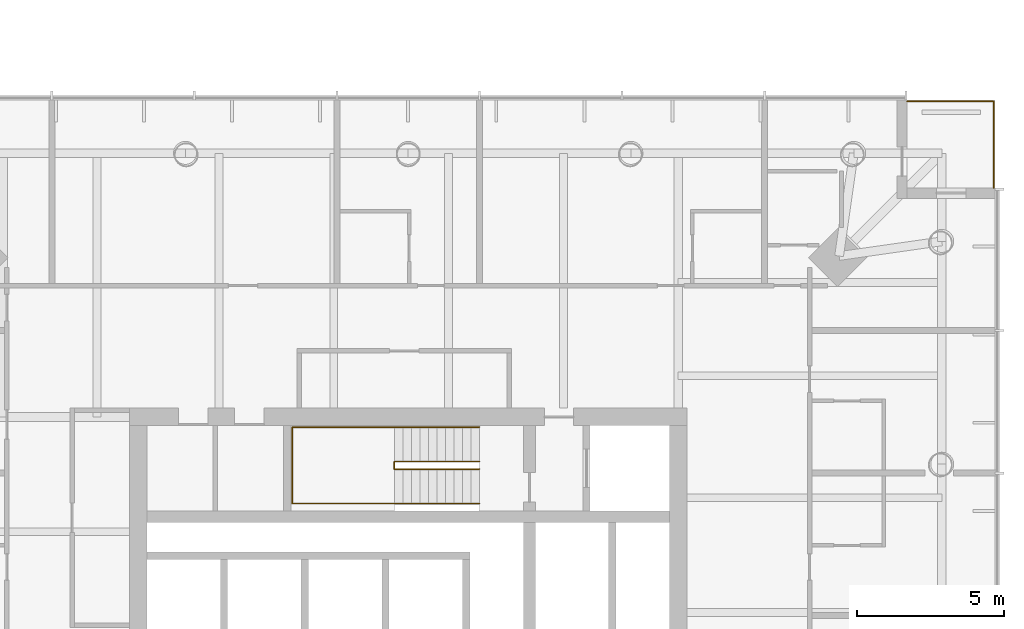
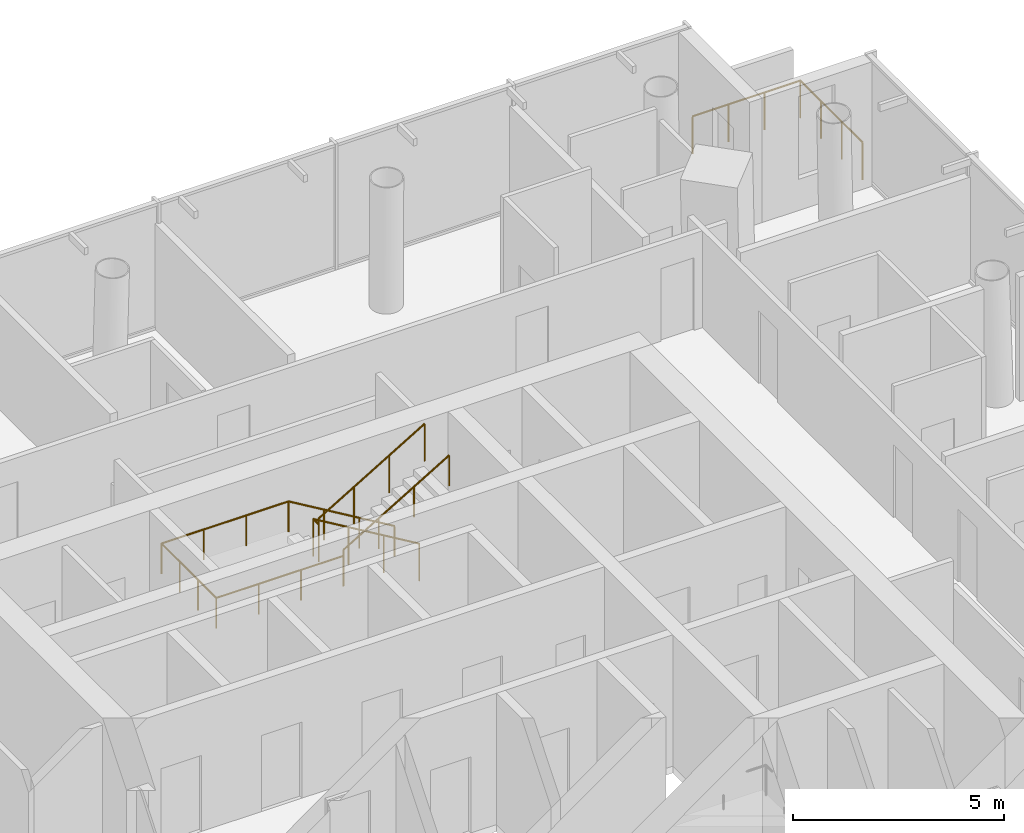
# One storey, part 22 of 22: 3 railings.
"""IFC4 building model written with IfcOpenShell, lengths in metres."""

import ifcopenshell
import ifcopenshell.guid

model = None  # the IFC model being written
_history = None  # IfcOwnerHistory: only IFC2X3 demands one
_inside = {}  # id of a spatial element -> (the spatial element, [elements in it])
_under = {}  # id of a project, library or spatial element -> (it, [spatial elements below it])
_declared = {}  # id of a project -> (the project, [libraries it declares])
_typed = {}  # id of a type object -> (the type object, [elements of that type])
_made_of = {}  # id of a material, layer set ... -> (it, [elements and type objects made of it])


def new_model(schema):
    """Start an empty IFC model of exactly this schema.

    Asked for "IFC4X3", IfcOpenShell would pick the latest addendum, in which some entities
    have other attributes; the version numbers below select the first issue.
    IFC2X3 requires an IfcOwnerHistory on every rooted entity: one is made here for all.
    """
    global model, _history
    if schema == "IFC4X3":
        model = ifcopenshell.file(schema_version=(4, 3, 0, 0))
    else:
        model = ifcopenshell.file(schema=schema)
    _inside.clear()
    _under.clear()
    _declared.clear()
    _typed.clear()
    _made_of.clear()
    _history = None
    if model.schema == "IFC2X3":
        org = make("IfcOrganization", Name="unknown")
        user = make(
            "IfcPersonAndOrganization",
            ThePerson=make("IfcPerson", FamilyName="unknown"),
            TheOrganization=org,
        )
        app = make(
            "IfcApplication",
            ApplicationDeveloper=org,
            Version="unknown",
            ApplicationFullName="unknown",
            ApplicationIdentifier="unknown",
        )
        _history = make(
            "IfcOwnerHistory",
            OwningUser=user,
            OwningApplication=app,
            ChangeAction="ADDED",
            CreationDate=0,
        )
    return model


def make(cls, **values):
    """One entity of the class cls with the attributes given. An attribute that is None is left unset."""
    return model.create_entity(
        cls, **{name: value for name, value in values.items() if value is not None}
    )


def rooted(cls, **values):
    """An entity with a GlobalId (a new one), such as an element, a storey or a relation."""
    return make(cls, GlobalId=ifcopenshell.guid.new(), OwnerHistory=_history, **values)


def si_unit(unit_type, name, prefix=None):
    """IfcSIUnit, for example si_unit("LENGTHUNIT", "METRE", prefix="MILLI")."""
    return make("IfcSIUnit", UnitType=unit_type, Prefix=prefix, Name=name)


def assignment(units):
    """IfcUnitAssignment: the units of a project."""
    return None if units is None else make("IfcUnitAssignment", Units=units)


def point(xyz):
    """IfcCartesianPoint."""
    return None if xyz is None else make("IfcCartesianPoint", Coordinates=xyz)


def direction(xyz):
    """IfcDirection."""
    return None if xyz is None else make("IfcDirection", DirectionRatios=xyz)


def frame(location, z_axis=None, x_axis=None):
    """IfcAxis2Placement3D, a coordinate frame: its origin and axes. An axis left out is left unset."""
    return make(
        "IfcAxis2Placement3D",
        Location=point(location),
        Axis=direction(z_axis),
        RefDirection=direction(x_axis),
    )


def frame_2d(location, x_axis=None):
    """IfcAxis2Placement2D, a coordinate frame in the plane: its origin and x axis."""
    return make(
        "IfcAxis2Placement2D", Location=point(location), RefDirection=direction(x_axis)
    )


def origin():
    """The frame at (0, 0, 0) with its axes left unset."""
    return frame((0.0, 0.0, 0.0))


def origin_2d():
    """The frame at (0, 0) in the plane with its x axis left unset."""
    return frame_2d((0.0, 0.0))


def place(relative_to, where):
    """IfcLocalPlacement: puts the frame where relative to a parent placement (None: the world)."""
    return make(
        "IfcLocalPlacement", PlacementRelTo=relative_to, RelativePlacement=where
    )


def context(
    kind, dimensions, precision=None, world=None, true_north=None, identifier=None
):
    """IfcGeometricRepresentationContext, for example the 3D "Model" context."""
    return make(
        "IfcGeometricRepresentationContext",
        ContextIdentifier=identifier,
        ContextType=kind,
        CoordinateSpaceDimension=dimensions,
        Precision=precision,
        WorldCoordinateSystem=world,
        TrueNorth=true_north,
    )


def subcontext(parent, identifier, kind, view, scale=None):
    """IfcGeometricRepresentationSubContext, for example "Body" below "Model"."""
    return make(
        "IfcGeometricRepresentationSubContext",
        ContextIdentifier=identifier,
        ContextType=kind,
        ParentContext=parent,
        TargetScale=scale,
        TargetView=view,
    )


def project(units=None, contexts=None):
    """IfcProject with its units and contexts."""
    return rooted(
        "IfcProject",
        Name="project",
        RepresentationContexts=contexts,
        UnitsInContext=assignment(units),
    )


def spatial(cls, under=None, at=None, **own):
    """A site, building, storey or space (cls), placed at a placement, below another one or the project."""
    s = rooted(cls, ObjectPlacement=at, **own)
    if under is not None:
        _under.setdefault(under.id(), (under, []))[1].append(s)
    return s


def profile(cls, at=None, kind="AREA", **sizes):
    """A parametric profile (cls). Its sizes go by their IFC names, for example OverallWidth=200.0."""
    return make(cls, ProfileType=kind, Position=at, **sizes)


def circle(**sizes):
    """IfcCircleProfileDef."""
    return profile("IfcCircleProfileDef", **sizes)


def extrude(swept, where, along, depth):
    """IfcExtrudedAreaSolid: the profile swept, set in the frame where, extruded along a direction by depth."""
    return make(
        "IfcExtrudedAreaSolid",
        SweptArea=swept,
        Position=where,
        ExtrudedDirection=direction(along),
        Depth=depth,
    )


def shape(context_of_items, identifier, shape_type, items):
    """IfcShapeRepresentation: the items that make up one representation, for example the "Body"."""
    return make(
        "IfcShapeRepresentation",
        ContextOfItems=context_of_items,
        RepresentationIdentifier=identifier,
        RepresentationType=shape_type,
        Items=items,
    )


def material(Name=None, Category=None):
    """IfcMaterial."""
    return make("IfcMaterial", Name=Name, Category=Category)


def made_of(thing, what):
    """Note that an element or type object is made of a material, layer set ...; save() writes the relation."""
    if what is not None:
        _made_of.setdefault(what.id(), (what, []))[1].append(thing)
    return thing


def type_object(cls, material=None, **own):
    """A type object (cls), such as IfcWallType, which elements share."""
    return made_of(rooted(cls, **own), material)


def element(
    cls,
    number,
    at=None,
    inside=None,
    cuts=None,
    type_object=None,
    material=None,
    context=None,
    identifier="Body",
    shape_type=None,
    held_by="IfcProductDefinitionShape",
    body=None,
    shapes=None,
    **own,
):
    """One element of the class cls, such as IfcWall. Its Tag is "e" and its number.

    at: its placement. inside: the storey or other place that contains it. cuts: it is an
    opening in that element (IfcRelVoidsElement). A single representation is given by context,
    identifier, shape_type and body (its items); several are given by shapes. held_by: the class
    of the entity that holds the representations. save() writes the other relations.
    """
    e = rooted(cls, Tag="e%d" % number, ObjectPlacement=at, **own)
    if body is not None:
        shapes = [shape(context, identifier, shape_type, body)]
    if shapes is not None:
        e.Representation = make(held_by, Representations=shapes)
    if inside is not None:
        _inside.setdefault(inside.id(), (inside, []))[1].append(e)
    if cuts is not None:
        rooted(
            "IfcRelVoidsElement", RelatingBuildingElement=cuts, RelatedOpeningElement=e
        )
    if type_object is not None:
        _typed.setdefault(type_object.id(), (type_object, []))[1].append(e)
    return made_of(e, material)


def aggregate(whole, parts):
    """IfcRelAggregates: a whole, such as a stair, and the parts it consists of."""
    return rooted("IfcRelAggregates", RelatingObject=whole, RelatedObjects=parts)


def save(model, path):
    """Write the relations noted so far, then the file.

    IfcRelAggregates (storeys below a building ...), IfcRelContainedInSpatialStructure (elements
    in a storey), IfcRelDefinesByType, IfcRelAssociatesMaterial and IfcRelDeclares: one each for
    every whole, place, type object, material and project.
    """
    for whole, parts in _under.values():
        aggregate(whole, parts)
    for where, things in _inside.values():
        rooted(
            "IfcRelContainedInSpatialStructure",
            RelatedElements=things,
            RelatingStructure=where,
        )
    for kind, things in _typed.values():
        rooted("IfcRelDefinesByType", RelatedObjects=things, RelatingType=kind)
    for what, things in _made_of.values():
        rooted("IfcRelAssociatesMaterial", RelatedObjects=things, RelatingMaterial=what)
    for by, libraries in _declared.values():
        rooted("IfcRelDeclares", RelatingContext=by, RelatedDefinitions=libraries)
    model.write(path)


model = new_model("IFC4")

# Units and contexts
model_context = context("Model", 3, precision=1e-05, world=origin(), true_north=direction((0.0, 1.0)))
body_context = subcontext(model_context, "Body", "Model", "MODEL_VIEW")
ifc_project = project(units=[si_unit("LENGTHUNIT", "METRE"), si_unit("AREAUNIT", "SQUARE_METRE"), si_unit("VOLUMEUNIT", "CUBIC_METRE"), si_unit("PLANEANGLEUNIT", "RADIAN"), si_unit("MASSUNIT", "GRAM", prefix="KILO")], contexts=[model_context])

# Site, building, storey
site_placement = place(None, origin())
site = spatial("IfcSite", under=ifc_project, at=site_placement, CompositionType="ELEMENT")
building_placement = place(site_placement, origin())
building = spatial("IfcBuilding", under=site, at=building_placement, Name="Ostroluk Exchange", CompositionType="ELEMENT")
storey_placement = place(building_placement, frame((0.0, 0.0, 40.0)))
storey = spatial("IfcBuildingStorey", under=building, at=storey_placement, Name="L09", CompositionType="ELEMENT", Elevation=40.0)

# Railings
ifc_material_1 = material(Name="Stainless steel", Category="steel")
railing_type_1 = type_object("IfcRailingType", Name="Guard 1100 stainless steel", PredefinedType="GUARDRAIL", material=ifc_material_1)
railing_1_placement = place(storey_placement, frame((134.0, 65.949951171875, 0.0)))
element("IfcRailing", 1, at=railing_1_placement, inside=storey, type_object=railing_type_1, Name="Hotel tower NE balcony guard L09", PredefinedType="GUARDRAIL", context=body_context, shape_type="SweptSolid", body=[
    extrude(circle(Radius=0.02392578125, at=origin_2d()), frame((0.0, 0.0, 1.076171875), z_axis=(1.0, 0.0, 0.0), x_axis=(0.0, 1.0, 0.0)), (0.0, 0.0, 1.0), 2.949951171875),
    extrude(circle(Radius=0.02392578125, at=origin_2d()), frame((2.949951171875, 0.0, 1.076171875), z_axis=(0.0, -1.0, 0.0), x_axis=(1.0, 0.0, 0.0)), (0.0, 0.0, 1.0), 2.949951171875),
    extrude(circle(Radius=0.02099609375, at=origin_2d()), origin(), (0.0, 0.0, 1.0), 1.052001953125),
    extrude(circle(Radius=0.02099609375, at=origin_2d()), frame((0.9833984375, 0.0, 0.0)), (0.0, 0.0, 1.0), 1.052001953125),
    extrude(circle(Radius=0.02099609375, at=origin_2d()), frame((1.966552734375, 0.0, 0.0)), (0.0, 0.0, 1.0), 1.052001953125),
    extrude(circle(Radius=0.02099609375, at=origin_2d()), frame((2.949951171875, 0.0, 0.0)), (0.0, 0.0, 1.0), 1.052001953125),
    extrude(circle(Radius=0.02099609375, at=origin_2d()), frame((2.949951171875, -0.9833984375, 0.0)), (0.0, 0.0, 1.0), 1.052001953125),
    extrude(circle(Radius=0.02099609375, at=origin_2d()), frame((2.949951171875, -1.966552734375, 0.0)), (0.0, 0.0, 1.0), 1.052001953125),
    extrude(circle(Radius=0.02099609375, at=origin_2d()), frame((2.949951171875, -2.949951171875, 0.0)), (0.0, 0.0, 1.0), 1.052001953125),
])
ifc_material_2 = material(Name="Steel S355", Category="steel")
railing_type_2 = type_object("IfcRailingType", Name="Stair guard 1100", PredefinedType="GUARDRAIL", material=ifc_material_2)
railing_2_placement = place(storey_placement, frame((119.429931640625, 53.679931640625, 0.172607421875)))
element("IfcRailing", 2, at=railing_2_placement, inside=storey, type_object=railing_type_2, Name="Stair T2-S2 guard L09", PredefinedType="GUARDRAIL", context=body_context, shape_type="SweptSolid", body=[
    extrude(circle(Radius=0.02392578125, at=origin_2d()), frame((0.0, 0.0, 1.076171875), z_axis=(-0.859141464434, 0.0, 0.511738159696), x_axis=(0.0, -1.0, 0.0)), (0.0, 0.0, 1.0), 3.375244140625),
    extrude(circle(Radius=0.02392578125, at=origin_2d()), frame((-2.89990234375, 0.0, 2.80322265625), z_axis=(0.0, -1.0, 0.0), x_axis=(1.0, 0.0, 0.0)), (0.0, 0.0, 1.0), 0.260009765625),
    extrude(circle(Radius=0.02392578125, at=origin_2d()), frame((-2.89990234375, -0.260009765625, 2.80322265625), z_axis=(0.0, 0.0, 1.0), x_axis=(1.0, 0.0, 0.0)), (0.0, 0.0, 1.0), 0.1728515625),
    extrude(circle(Radius=0.02392578125, at=origin_2d()), frame((-2.89990234375, -0.260009765625, 2.97607421875), z_axis=(0.859141464434, 0.0, 0.511738159696), x_axis=(0.0, 1.0, 0.0)), (0.0, 0.0, 1.0), 3.375244140625),
    extrude(circle(Radius=0.02099609375, at=origin_2d()), origin(), (0.0, 0.0, 1.0), 1.052001953125),
    extrude(circle(Radius=0.02099609375, at=origin_2d()), frame((-0.966552734375, 0.0, 0.57568359375)), (0.0, 0.0, 1.0), 1.052001953125),
    extrude(circle(Radius=0.02099609375, at=origin_2d()), frame((-1.933349609375, 0.0, 1.151611328125)), (0.0, 0.0, 1.0), 1.052001953125),
    extrude(circle(Radius=0.02099609375, at=origin_2d()), frame((-2.89990234375, 0.0, 1.727294921875)), (0.0, 0.0, 1.0), 1.052001953125),
    extrude(circle(Radius=0.02099609375, at=origin_2d()), frame((-2.89990234375, -0.260009765625, 1.727294921875)), (0.0, 0.0, 1.0), 1.052001953125),
    extrude(circle(Radius=0.02099609375, at=origin_2d()), frame((-2.89990234375, -0.260009765625, 1.900146484375)), (0.0, 0.0, 1.0), 1.052001953125),
    extrude(circle(Radius=0.02099609375, at=origin_2d()), frame((-1.933349609375, -0.260009765625, 2.475830078125)), (0.0, 0.0, 1.0), 1.052001953125),
    extrude(circle(Radius=0.02099609375, at=origin_2d()), frame((-0.966552734375, -0.260009765625, 3.0517578125)), (0.0, 0.0, 1.0), 1.052001953125),
    extrude(circle(Radius=0.02099609375, at=origin_2d()), frame((0.0, -0.260009765625, 3.62744140625)), (0.0, 0.0, 1.0), 1.052001953125),
])
ifc_material_3 = material(Name="Stainless steel", Category="steel")
railing_type_3 = type_object("IfcRailingType", Name="Stair handrail 900", PredefinedType="HANDRAIL", material=ifc_material_3)
railing_3_placement = place(storey_placement, frame((119.429931640625, 54.85009765625, 0.172607421875)))
element("IfcRailing", 3, at=railing_3_placement, inside=storey, type_object=railing_type_3, Name="Stair T2-S2 handrail L09", PredefinedType="HANDRAIL", context=body_context, shape_type="SweptSolid", body=[
    extrude(circle(Radius=0.02392578125, at=origin_2d()), frame((0.0, 0.0, 0.8759765625), z_axis=(-0.859141464434, 0.0, 0.511738159696), x_axis=(0.0, -1.0, 0.0)), (0.0, 0.0, 1.0), 3.375244140625),
    extrude(circle(Radius=0.02392578125, at=origin_2d()), frame((-2.89990234375, 0.0, 2.60302734375), z_axis=(-1.0, 0.0, 0.0), x_axis=(0.0, -1.0, 0.0)), (0.0, 0.0, 1.0), 3.47998046875),
    extrude(circle(Radius=0.02392578125, at=origin_2d()), frame((-6.3798828125, 0.0, 2.60302734375), z_axis=(0.0, -1.0, 0.0), x_axis=(1.0, 0.0, 0.0)), (0.0, 0.0, 1.0), 2.60009765625),
    extrude(circle(Radius=0.02392578125, at=origin_2d()), frame((-6.3798828125, -2.60009765625, 2.60302734375), z_axis=(1.0, 0.0, 0.0), x_axis=(0.0, 1.0, 0.0)), (0.0, 0.0, 1.0), 3.47998046875),
    extrude(circle(Radius=0.02392578125, at=origin_2d()), frame((-2.89990234375, -2.60009765625, 2.60302734375), z_axis=(0.0, 0.0, 1.0), x_axis=(1.0, 0.0, 0.0)), (0.0, 0.0, 1.0), 0.1728515625),
    extrude(circle(Radius=0.02392578125, at=origin_2d()), frame((-2.89990234375, -2.60009765625, 2.77587890625), z_axis=(0.859141464434, 0.0, 0.511738159696), x_axis=(0.0, 1.0, 0.0)), (0.0, 0.0, 1.0), 3.375244140625),
    extrude(circle(Radius=0.02099609375, at=origin_2d()), origin(), (0.0, 0.0, 1.0), 0.851806640625),
    extrude(circle(Radius=0.02099609375, at=origin_2d()), frame((-0.966552734375, 0.0, 0.57568359375)), (0.0, 0.0, 1.0), 0.851806640625),
    extrude(circle(Radius=0.02099609375, at=origin_2d()), frame((-1.933349609375, 0.0, 1.151611328125)), (0.0, 0.0, 1.0), 0.851806640625),
    extrude(circle(Radius=0.02099609375, at=origin_2d()), frame((-2.89990234375, 0.0, 1.727294921875)), (0.0, 0.0, 1.0), 0.851806640625),
    extrude(circle(Radius=0.02099609375, at=origin_2d()), frame((-4.059814453125, 0.0, 1.727294921875)), (0.0, 0.0, 1.0), 0.851806640625),
    extrude(circle(Radius=0.02099609375, at=origin_2d()), frame((-5.219970703125, 0.0, 1.727294921875)), (0.0, 0.0, 1.0), 0.851806640625),
    extrude(circle(Radius=0.02099609375, at=origin_2d()), frame((-6.3798828125, 0.0, 1.727294921875)), (0.0, 0.0, 1.0), 0.851806640625),
    extrude(circle(Radius=0.02099609375, at=origin_2d()), frame((-6.3798828125, -0.86669921875, 1.727294921875)), (0.0, 0.0, 1.0), 0.851806640625),
    extrude(circle(Radius=0.02099609375, at=origin_2d()), frame((-6.3798828125, -1.7333984375, 1.727294921875)), (0.0, 0.0, 1.0), 0.851806640625),
    extrude(circle(Radius=0.02099609375, at=origin_2d()), frame((-6.3798828125, -2.60009765625, 1.727294921875)), (0.0, 0.0, 1.0), 0.851806640625),
    extrude(circle(Radius=0.02099609375, at=origin_2d()), frame((-5.219970703125, -2.60009765625, 1.727294921875)), (0.0, 0.0, 1.0), 0.851806640625),
    extrude(circle(Radius=0.02099609375, at=origin_2d()), frame((-4.059814453125, -2.60009765625, 1.727294921875)), (0.0, 0.0, 1.0), 0.851806640625),
    extrude(circle(Radius=0.02099609375, at=origin_2d()), frame((-2.89990234375, -2.60009765625, 1.727294921875)), (0.0, 0.0, 1.0), 0.851806640625),
    extrude(circle(Radius=0.02099609375, at=origin_2d()), frame((-2.89990234375, -2.60009765625, 1.900146484375)), (0.0, 0.0, 1.0), 0.851806640625),
    extrude(circle(Radius=0.02099609375, at=origin_2d()), frame((-1.933349609375, -2.60009765625, 2.475830078125)), (0.0, 0.0, 1.0), 0.851806640625),
    extrude(circle(Radius=0.02099609375, at=origin_2d()), frame((-0.966552734375, -2.60009765625, 3.0517578125)), (0.0, 0.0, 1.0), 0.851806640625),
    extrude(circle(Radius=0.02099609375, at=origin_2d()), frame((0.0, -2.60009765625, 3.62744140625)), (0.0, 0.0, 1.0), 0.851806640625),
])

save(model, "model.ifc")
